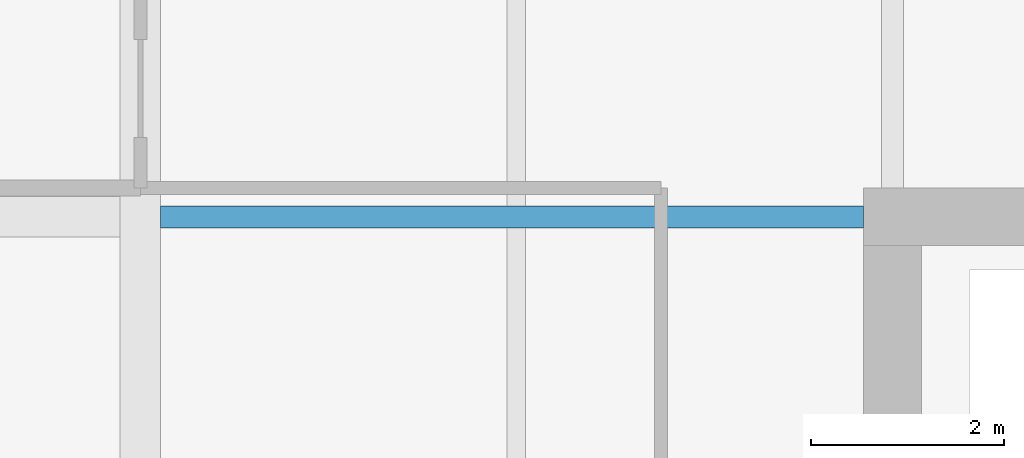
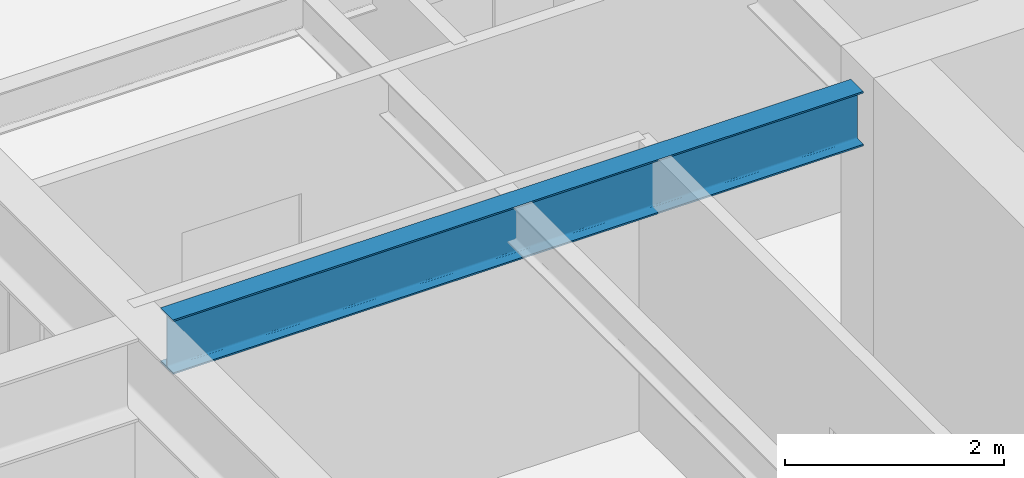
# One storey, part 18 of 37: 1 beam.
"""IFC4 building model written with IfcOpenShell, lengths in metres."""

from ifc_helpers import new_model, si_unit, direction, frame, origin, origin_2d, place, context, subcontext, project, spatial, i_section, extrude, material, material_profile, profile_set, type_object, element, save


model = new_model("IFC4")

# Units and contexts
model_context = context("Model", 3, precision=1e-05, world=origin(), true_north=direction((0.0, 1.0)))
body_context = subcontext(model_context, "Body", "Model", "MODEL_VIEW")
ifc_project = project(units=[si_unit("LENGTHUNIT", "METRE"), si_unit("AREAUNIT", "SQUARE_METRE"), si_unit("VOLUMEUNIT", "CUBIC_METRE"), si_unit("PLANEANGLEUNIT", "RADIAN"), si_unit("MASSUNIT", "GRAM", prefix="KILO")], contexts=[model_context])

# Site, building, storey
site_placement = place(None, origin())
site = spatial("IfcSite", under=ifc_project, at=site_placement, CompositionType="ELEMENT")
building_placement = place(site_placement, origin())
building = spatial("IfcBuilding", under=site, at=building_placement, Name="Drelvath Grand Hotel", CompositionType="ELEMENT")
storey_placement = place(building_placement, frame((0.0, 0.0, 43.699951171875)))
storey = spatial("IfcBuildingStorey", under=building, at=storey_placement, Name="L09", CompositionType="ELEMENT", Elevation=43.699951171875)

# Beam
ifc_material = material(Name="Steel ASTM A992 Gr 50", Category="steel")
ifc_material_profile = material_profile(ifc_material, i_section(OverallWidth=0.228271484375, OverallDepth=0.607666015625, WebThickness=0.01123046875, FlangeThickness=0.017333984375, FilletRadius=0.02001953125, at=origin_2d()), Name="W24X76")
ifc_profile_set = profile_set([ifc_material_profile], Name="Steel ASTM A992 Gr 50")
beam_type = type_object("IfcBeamType", Name="Primary Floor Girder W24X76", PredefinedType="BEAM", material=ifc_profile_set)
beam_placement = place(storey_placement, frame((-15.99072265625, 35.39990234375, 2.936279296875), z_axis=(1.0, 0.0, 0.0), x_axis=(0.0, 1.0, 0.0)))
element("IfcBeam", 1, at=beam_placement, inside=storey, type_object=beam_type, Name="L09 West Core Tie F", PredefinedType="BEAM", context=body_context, shape_type="SweptSolid", body=[
    extrude(i_section(OverallWidth=0.228271484375, OverallDepth=0.607666015625, WebThickness=0.01123046875, FlangeThickness=0.017333984375, FilletRadius=0.02001953125, at=origin_2d()), origin(), (0.0, 0.0, 1.0), 7.290771484375),
])

save(model, "model.ifc")
